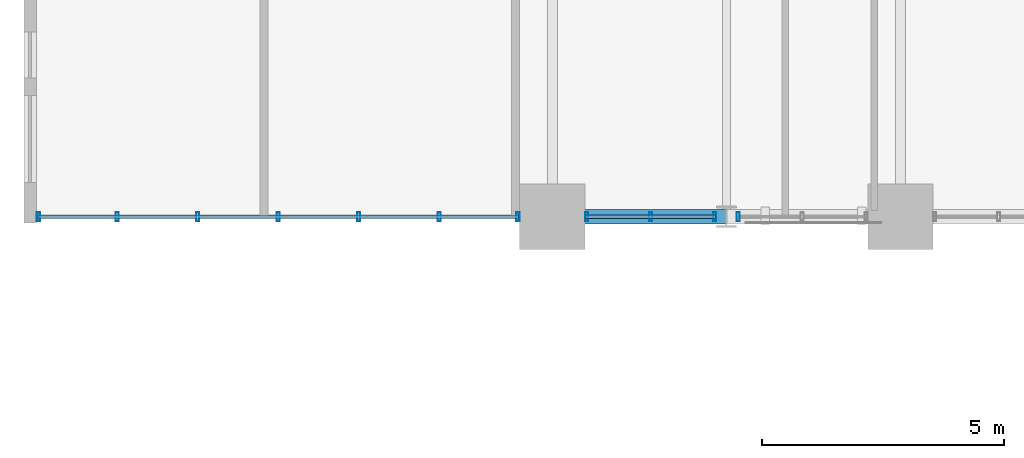
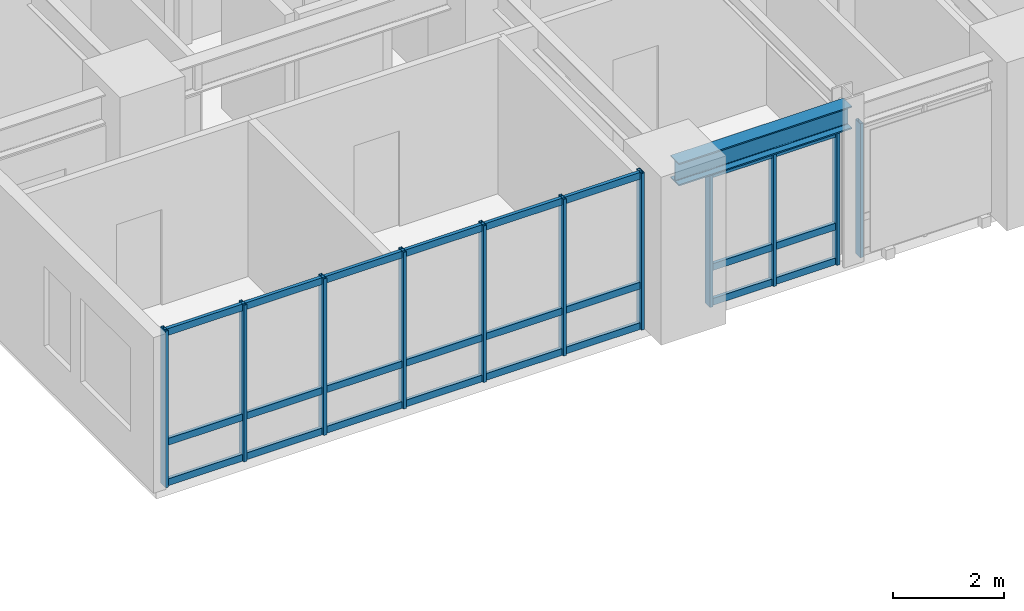
# One storey, part 2 of 17: 17 members, 1 beam, 3 elements without a shape of their own.
"""IFC4 building model written with IfcOpenShell, lengths in metres."""

from ifc_helpers import new_model, si_unit, direction, frame, origin, origin_2d, place, context, subcontext, project, spatial, hollow_rectangle, i_section, extrude, source, transform, mapped, material, layer, layer_set, material_profile, profile_set, type_object, element, aggregate, save


model = new_model("IFC4")

# Units and contexts
model_context = context("Model", 3, precision=1e-05, world=origin(), true_north=direction((0.0, 1.0)))
body_context = subcontext(model_context, "Body", "Model", "MODEL_VIEW")
ifc_project = project(units=[si_unit("LENGTHUNIT", "METRE"), si_unit("AREAUNIT", "SQUARE_METRE"), si_unit("VOLUMEUNIT", "CUBIC_METRE"), si_unit("PLANEANGLEUNIT", "RADIAN"), si_unit("MASSUNIT", "GRAM", prefix="KILO")], contexts=[model_context])

# Site, building, storey
site_placement = place(None, origin())
site = spatial("IfcSite", under=ifc_project, at=site_placement, CompositionType="ELEMENT")
building_placement = place(site_placement, origin())
building = spatial("IfcBuilding", under=site, at=building_placement, Name="Kaliganga Portal Commons", CompositionType="ELEMENT")
storey_placement = place(building_placement, frame((0.0, 0.0, 43.800048828125)))
storey = spatial("IfcBuildingStorey", under=building, at=storey_placement, Name="L10", CompositionType="ELEMENT", Elevation=43.800048828125)

# Beam
ifc_material_1 = material(Name="Structural steel S355J2", Category="steel")
ifc_material_profile_1 = material_profile(ifc_material_1, i_section(OverallWidth=0.300048828125, OverallDepth=0.5, WebThickness=0.014404296875, FlangeThickness=0.028076171875, FilletRadius=0.027099609375, at=origin_2d()), Name="HE 500 B")
ifc_profile_set_1 = profile_set([ifc_material_profile_1], Name="Structural steel S355J2 wide-flange")
beam_type = type_object("IfcBeamType", Name="BM-SPAND-500", PredefinedType="SPANDREL", material=ifc_profile_set_1)
shared_shape_1 = source(origin(), body_context, "Body", "SweptSolid", [
    extrude(i_section(OverallWidth=0.300048828125, OverallDepth=0.5, WebThickness=0.014404296875, FlangeThickness=0.028076171875, FilletRadius=0.027099609375, at=origin_2d()), origin(), (0.0, 0.0, 1.0), 3.60009765625),
])
beam_placement = place(storey_placement, frame((14.39990234375, 21.60009765625, 3.199951171875), z_axis=(1.0, 0.0, 0.0), x_axis=(0.0, 1.0, 0.0)))
element("IfcBeam", 1, at=beam_placement, inside=storey, type_object=beam_type, Name="BM SP L10 AS 1", PredefinedType="SPANDREL", context=body_context, shape_type="MappedRepresentation", body=[
    mapped(shared_shape_1, transform((0.0, 0.0, 0.0), x_axis=(1.0, 0.0, 0.0), y_axis=(0.0, 1.0, 0.0), z_axis=(0.0, 0.0, 1.0), scale=1.0)),
])

# Curtain wall, members
ifc_material_2 = material(Name="Anodized Aluminium and Laminated Low-E Glass", Category="aluminium")
ifc_layer = layer(ifc_material_2, 0.2099609375)
ifc_layer_set = layer_set([ifc_layer], Name="Anodized Aluminium and Laminated Low-E Glass")
curtain_wall_type = type_object("IfcCurtainWallType", Name="CW-SYS-03", PredefinedType="NOTDEFINED", material=ifc_layer_set)
curtain_wall_1_placement = place(storey_placement, origin())
curtain_wall_1 = element("IfcCurtainWall", 2, at=curtain_wall_1_placement, inside=storey, type_object=curtain_wall_type, Name="CW 03 L10 P1E04S1", PredefinedType="NOTDEFINED")
ifc_material_3 = material(Name="Dark Bronze Anodized Aluminium", Category="aluminium")
ifc_material_profile_2 = material_profile(ifc_material_3, hollow_rectangle(XDim=0.06494140625, YDim=0.179931640625, WallThickness=0.00390625, at=origin_2d()), Name="ALU MULL 65x180x4")
ifc_profile_set_2 = profile_set([ifc_material_profile_2], Name="Dark Bronze Anodized Aluminium")
member_type_1 = type_object("IfcMemberType", Name="CW-MUL-180", PredefinedType="MULLION", material=ifc_profile_set_2)
shared_shape_2 = source(origin(), body_context, "Body", "SweptSolid", [
    extrude(hollow_rectangle(XDim=0.06494140625, YDim=0.179931640625, WallThickness=0.00390625, at=origin_2d()), origin(), (0.0, 0.0, 1.0), 3.449951171875),
])
member_1_placement = place(storey_placement, frame((3.77490234375, 21.60009765625, 0.0), z_axis=(0.0, 0.0, 1.0), x_axis=(1.0, 0.0, 0.0)))
member_1 = element("IfcMember", 3, at=member_1_placement, type_object=member_type_1, Name="CW:03:L10:P1E04S1 Mullion 00", PredefinedType="MULLION", context=body_context, shape_type="MappedRepresentation", body=[
    mapped(shared_shape_2, transform((0.0, 0.0, 0.0), x_axis=(1.0, 0.0, 0.0), y_axis=(0.0, 1.0, 0.0), z_axis=(0.0, 0.0, 1.0), scale=1.0)),
])
member_2_placement = place(storey_placement, frame((5.404052734375, 21.60009765625, 0.0), z_axis=(0.0, 0.0, 1.0), x_axis=(1.0, 0.0, 0.0)))
member_2 = element("IfcMember", 4, at=member_2_placement, type_object=member_type_1, Name="CW:03:L10:P1E04S1 Mullion 01", PredefinedType="MULLION", context=body_context, shape_type="MappedRepresentation", body=[
    mapped(shared_shape_2, transform((0.0, 0.0, 0.0), x_axis=(1.0, 0.0, 0.0), y_axis=(0.0, 1.0, 0.0), z_axis=(0.0, 0.0, 1.0), scale=1.0)),
])
member_3_placement = place(storey_placement, frame((7.068115234375, 21.60009765625, 0.0), z_axis=(0.0, 0.0, 1.0), x_axis=(1.0, 0.0, 0.0)))
member_3 = element("IfcMember", 5, at=member_3_placement, type_object=member_type_1, Name="CW:03:L10:P1E04S1 Mullion 02", PredefinedType="MULLION", context=body_context, shape_type="MappedRepresentation", body=[
    mapped(shared_shape_2, transform((0.0, 0.0, 0.0), x_axis=(1.0, 0.0, 0.0), y_axis=(0.0, 1.0, 0.0), z_axis=(0.0, 0.0, 1.0), scale=1.0)),
])
member_4_placement = place(storey_placement, frame((8.73193359375, 21.60009765625, 0.0), z_axis=(0.0, 0.0, 1.0), x_axis=(1.0, 0.0, 0.0)))
member_4 = element("IfcMember", 6, at=member_4_placement, type_object=member_type_1, Name="CW:03:L10:P1E04S1 Mullion 03", PredefinedType="MULLION", context=body_context, shape_type="MappedRepresentation", body=[
    mapped(shared_shape_2, transform((0.0, 0.0, 0.0), x_axis=(1.0, 0.0, 0.0), y_axis=(0.0, 1.0, 0.0), z_axis=(0.0, 0.0, 1.0), scale=1.0)),
])
member_5_placement = place(storey_placement, frame((10.39599609375, 21.60009765625, 0.0), z_axis=(0.0, 0.0, 1.0), x_axis=(1.0, 0.0, 0.0)))
member_5 = element("IfcMember", 7, at=member_5_placement, type_object=member_type_1, Name="CW:03:L10:P1E04S1 Mullion 04", PredefinedType="MULLION", context=body_context, shape_type="MappedRepresentation", body=[
    mapped(shared_shape_2, transform((0.0, 0.0, 0.0), x_axis=(1.0, 0.0, 0.0), y_axis=(0.0, 1.0, 0.0), z_axis=(0.0, 0.0, 1.0), scale=1.0)),
])
member_6_placement = place(storey_placement, frame((12.06005859375, 21.60009765625, 0.0), z_axis=(0.0, 0.0, 1.0), x_axis=(1.0, 0.0, 0.0)))
member_6 = element("IfcMember", 8, at=member_6_placement, type_object=member_type_1, Name="CW:03:L10:P1E04S1 Mullion 05", PredefinedType="MULLION", context=body_context, shape_type="MappedRepresentation", body=[
    mapped(shared_shape_2, transform((0.0, 0.0, 0.0), x_axis=(1.0, 0.0, 0.0), y_axis=(0.0, 1.0, 0.0), z_axis=(0.0, 0.0, 1.0), scale=1.0)),
])
member_7_placement = place(storey_placement, frame((13.68896484375, 21.60009765625, 0.0), z_axis=(0.0, 0.0, 1.0), x_axis=(1.0, 0.0, 0.0)))
member_7 = element("IfcMember", 9, at=member_7_placement, type_object=member_type_1, Name="CW:03:L10:P1E04S1 Mullion 06", PredefinedType="MULLION", context=body_context, shape_type="MappedRepresentation", body=[
    mapped(shared_shape_2, transform((0.0, 0.0, 0.0), x_axis=(1.0, 0.0, 0.0), y_axis=(0.0, 1.0, 0.0), z_axis=(0.0, 0.0, 1.0), scale=1.0)),
])
ifc_material_profile_3 = material_profile(ifc_material_3, hollow_rectangle(XDim=0.070068359375, YDim=0.14990234375, WallThickness=0.00341796875, at=origin_2d()), Name="ALU TRAN 70x150x3.5")
ifc_profile_set_3 = profile_set([ifc_material_profile_3], Name="Dark Bronze Anodized Aluminium")
member_type_2 = type_object("IfcMemberType", Name="CW-TRN-150", PredefinedType="USERDEFINED", material=ifc_profile_set_3)
shared_shape_3 = source(origin(), body_context, "Body", "SweptSolid", [
    extrude(hollow_rectangle(XDim=0.070068359375, YDim=0.14990234375, WallThickness=0.00341796875, at=origin_2d()), origin(), (0.0, 0.0, 1.0), 9.944091796875),
])
member_8_placement = place(storey_placement, frame((3.760009765625, 21.60009765625, 0.06005859375), z_axis=(1.0, 0.0, 0.0), x_axis=(0.0, 1.0, 0.0)))
member_8 = element("IfcMember", 10, at=member_8_placement, type_object=member_type_2, Name="CW:03:L10:P1E04S1 Transom 1", ObjectType="TRANSOM", PredefinedType="USERDEFINED", context=body_context, shape_type="MappedRepresentation", body=[
    mapped(shared_shape_3, transform((0.0, 0.0, 0.0), x_axis=(1.0, 0.0, 0.0), y_axis=(0.0, 1.0, 0.0), z_axis=(0.0, 0.0, 1.0), scale=1.0)),
])
member_9_placement = place(storey_placement, frame((3.760009765625, 21.60009765625, 0.949951171875), z_axis=(1.0, 0.0, 0.0), x_axis=(0.0, 1.0, 0.0)))
member_9 = element("IfcMember", 11, at=member_9_placement, type_object=member_type_2, Name="CW:03:L10:P1E04S1 Transom 2", ObjectType="TRANSOM", PredefinedType="USERDEFINED", context=body_context, shape_type="MappedRepresentation", body=[
    mapped(shared_shape_3, transform((0.0, 0.0, 0.0), x_axis=(1.0, 0.0, 0.0), y_axis=(0.0, 1.0, 0.0), z_axis=(0.0, 0.0, 1.0), scale=1.0)),
])
member_10_placement = place(storey_placement, frame((3.760009765625, 21.60009765625, 3.369873046875), z_axis=(1.0, 0.0, 0.0), x_axis=(0.0, 1.0, 0.0)))
member_10 = element("IfcMember", 12, at=member_10_placement, type_object=member_type_2, Name="CW:03:L10:P1E04S1 Transom 3", ObjectType="TRANSOM", PredefinedType="USERDEFINED", context=body_context, shape_type="MappedRepresentation", body=[
    mapped(shared_shape_3, transform((0.0, 0.0, 0.0), x_axis=(1.0, 0.0, 0.0), y_axis=(0.0, 1.0, 0.0), z_axis=(0.0, 0.0, 1.0), scale=1.0)),
])
aggregate(curtain_wall_1, [member_1, member_2, member_3, member_4, member_5, member_6, member_7, member_8, member_9, member_10])

curtain_wall_2_placement = place(storey_placement, origin())
curtain_wall_2 = element("IfcCurtainWall", 13, at=curtain_wall_2_placement, inside=storey, type_object=curtain_wall_type, Name="CW 03 L10 P1E04S2", PredefinedType="NOTDEFINED")
shared_shape_4 = source(origin(), body_context, "Body", "SweptSolid", [
    extrude(hollow_rectangle(XDim=0.06494140625, YDim=0.179931640625, WallThickness=0.00390625, at=origin_2d()), origin(), (0.0, 0.0, 1.0), 2.949951171875),
])
member_11_placement = place(storey_placement, frame((15.111083984375, 21.60009765625, 0.0), z_axis=(0.0, 0.0, 1.0), x_axis=(1.0, 0.0, 0.0)))
member_11 = element("IfcMember", 14, at=member_11_placement, type_object=member_type_1, Name="CW:03:L10:P1E04S2 Mullion 00", PredefinedType="MULLION", context=body_context, shape_type="MappedRepresentation", body=[
    mapped(shared_shape_4, transform((0.0, 0.0, 0.0), x_axis=(1.0, 0.0, 0.0), y_axis=(0.0, 1.0, 0.0), z_axis=(0.0, 0.0, 1.0), scale=1.0)),
])
member_12_placement = place(storey_placement, frame((16.43359375, 21.60009765625, 0.0), z_axis=(0.0, 0.0, 1.0), x_axis=(1.0, 0.0, 0.0)))
member_12 = element("IfcMember", 15, at=member_12_placement, type_object=member_type_1, Name="CW:03:L10:P1E04S2 Mullion 01", PredefinedType="MULLION", context=body_context, shape_type="MappedRepresentation", body=[
    mapped(shared_shape_4, transform((0.0, 0.0, 0.0), x_axis=(1.0, 0.0, 0.0), y_axis=(0.0, 1.0, 0.0), z_axis=(0.0, 0.0, 1.0), scale=1.0)),
])
member_13_placement = place(storey_placement, frame((17.756103515625, 21.60009765625, 0.0), z_axis=(0.0, 0.0, 1.0), x_axis=(1.0, 0.0, 0.0)))
member_13 = element("IfcMember", 16, at=member_13_placement, type_object=member_type_1, Name="CW:03:L10:P1E04S2 Mullion 02", PredefinedType="MULLION", context=body_context, shape_type="MappedRepresentation", body=[
    mapped(shared_shape_4, transform((0.0, 0.0, 0.0), x_axis=(1.0, 0.0, 0.0), y_axis=(0.0, 1.0, 0.0), z_axis=(0.0, 0.0, 1.0), scale=1.0)),
])

# Curtain wall, member
curtain_wall_3_placement = place(storey_placement, origin())
curtain_wall_3 = element("IfcCurtainWall", 17, at=curtain_wall_3_placement, inside=storey, type_object=curtain_wall_type, Name="CW 03 L10 P1E04S3", PredefinedType="NOTDEFINED")
member_14_placement = place(storey_placement, frame((18.243896484375, 21.60009765625, 0.0), z_axis=(0.0, 0.0, 1.0), x_axis=(1.0, 0.0, 0.0)))
member_14 = element("IfcMember", 18, at=member_14_placement, type_object=member_type_1, Name="CW:03:L10:P1E04S3 Mullion 00", PredefinedType="MULLION", context=body_context, shape_type="MappedRepresentation", body=[
    mapped(shared_shape_4, transform((0.0, 0.0, 0.0), x_axis=(1.0, 0.0, 0.0), y_axis=(0.0, 1.0, 0.0), z_axis=(0.0, 0.0, 1.0), scale=1.0)),
])
aggregate(curtain_wall_3, [member_14])

# Member
shared_shape_5 = source(origin(), body_context, "Body", "SweptSolid", [
    extrude(hollow_rectangle(XDim=0.070068359375, YDim=0.14990234375, WallThickness=0.00341796875, at=origin_2d()), origin(), (0.0, 0.0, 1.0), 2.675048828125),
])
member_15_placement = place(storey_placement, frame((15.095947265625, 21.60009765625, 0.06005859375), z_axis=(1.0, 0.0, 0.0), x_axis=(0.0, 1.0, 0.0)))
member_15 = element("IfcMember", 19, at=member_15_placement, type_object=member_type_2, Name="CW:03:L10:P1E04S2 Transom 1", ObjectType="TRANSOM", PredefinedType="USERDEFINED", context=body_context, shape_type="MappedRepresentation", body=[
    mapped(shared_shape_5, transform((0.0, 0.0, 0.0), x_axis=(1.0, 0.0, 0.0), y_axis=(0.0, 1.0, 0.0), z_axis=(0.0, 0.0, 1.0), scale=1.0)),
])

member_16_placement = place(storey_placement, frame((15.095947265625, 21.60009765625, 0.825927734375), z_axis=(1.0, 0.0, 0.0), x_axis=(0.0, 1.0, 0.0)))
member_16 = element("IfcMember", 20, at=member_16_placement, type_object=member_type_2, Name="CW:03:L10:P1E04S2 Transom 2", ObjectType="TRANSOM", PredefinedType="USERDEFINED", context=body_context, shape_type="MappedRepresentation", body=[
    mapped(shared_shape_5, transform((0.0, 0.0, 0.0), x_axis=(1.0, 0.0, 0.0), y_axis=(0.0, 1.0, 0.0), z_axis=(0.0, 0.0, 1.0), scale=1.0)),
])

member_17_placement = place(storey_placement, frame((15.095947265625, 21.60009765625, 2.869873046875), z_axis=(1.0, 0.0, 0.0), x_axis=(0.0, 1.0, 0.0)))
member_17 = element("IfcMember", 21, at=member_17_placement, type_object=member_type_2, Name="CW:03:L10:P1E04S2 Transom 3", ObjectType="TRANSOM", PredefinedType="USERDEFINED", context=body_context, shape_type="MappedRepresentation", body=[
    mapped(shared_shape_5, transform((0.0, 0.0, 0.0), x_axis=(1.0, 0.0, 0.0), y_axis=(0.0, 1.0, 0.0), z_axis=(0.0, 0.0, 1.0), scale=1.0)),
])

aggregate(curtain_wall_2, [member_11, member_12, member_13, member_15, member_16, member_17])

save(model, "model.ifc")
